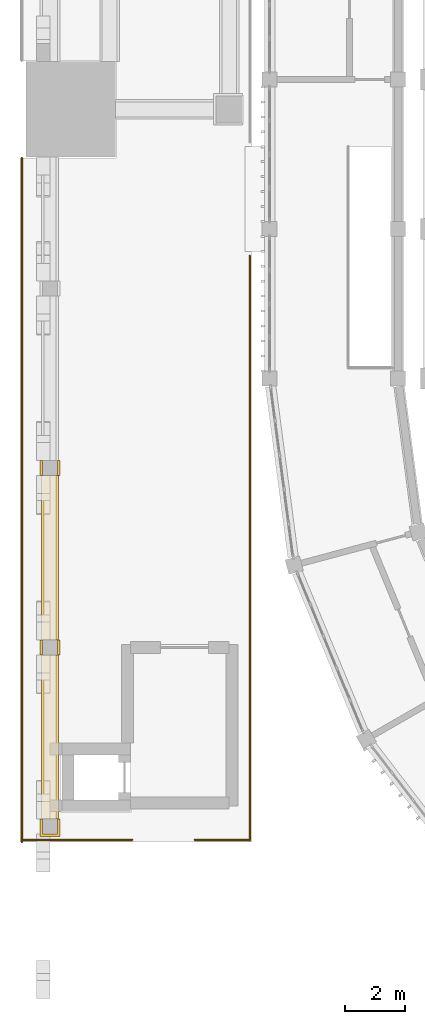
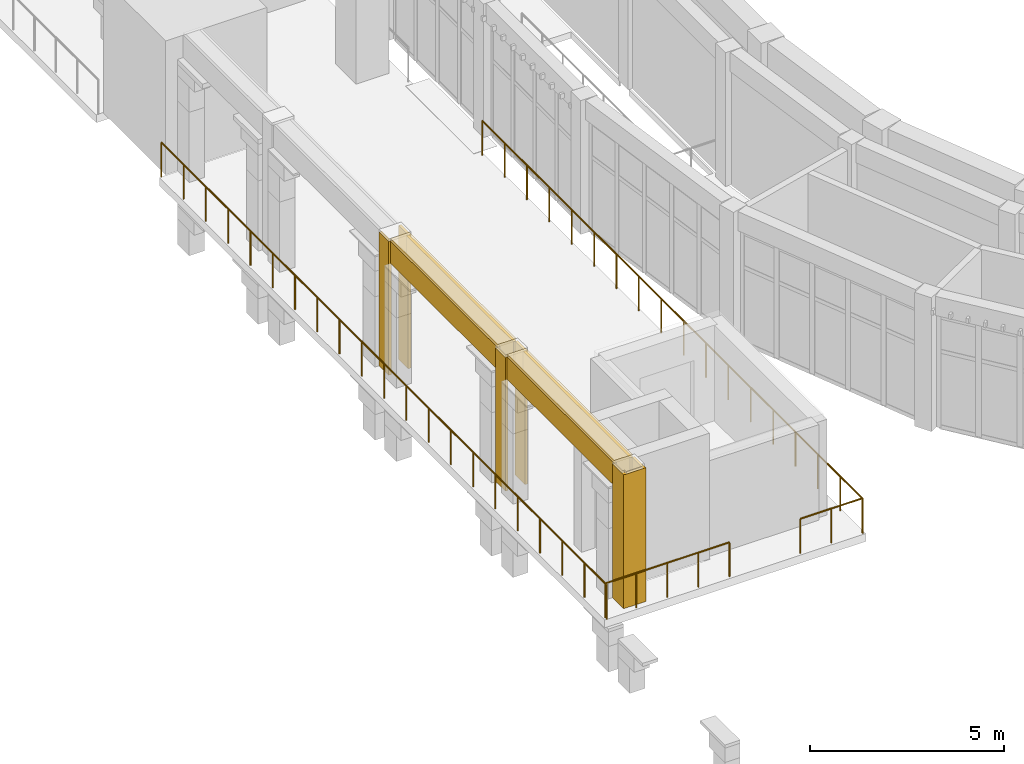
# One storey, part 83 of 99: 11 coverings, 4 railings.
"""IFC4 building model written with IfcOpenShell, lengths in metres."""

from ifc_helpers import new_model, si_unit, direction, frame, origin, origin_2d, place, context, subcontext, project, spatial, polyline, circle, outline, extrude, material, layer, layer_set, type_object, element, save


model = new_model("IFC4")

# Units and contexts
model_context = context("Model", 3, precision=1e-05, world=origin(), true_north=direction((0.0, 1.0)))
body_context = subcontext(model_context, "Body", "Model", "MODEL_VIEW")
ifc_project = project(units=[si_unit("LENGTHUNIT", "METRE"), si_unit("AREAUNIT", "SQUARE_METRE"), si_unit("VOLUMEUNIT", "CUBIC_METRE"), si_unit("PLANEANGLEUNIT", "RADIAN"), si_unit("MASSUNIT", "GRAM", prefix="KILO")], contexts=[model_context])

# Site, building, storey
site_placement = place(None, origin())
site = spatial("IfcSite", under=ifc_project, at=site_placement, CompositionType="ELEMENT")
building_placement = place(site_placement, origin())
building = spatial("IfcBuilding", under=site, at=building_placement, Name="Wasatch Bagh Community Centre", CompositionType="ELEMENT")
storey_placement = place(building_placement, frame((0.0, 0.0, 4.199951171875)))
storey = spatial("IfcBuildingStorey", under=building, at=storey_placement, Name="L01", CompositionType="ELEMENT", Elevation=4.199951171875)

# Coverings
ifc_material_1 = material(Name="Cast stone cladding", Category="masonry")
ifc_layer_1 = layer(ifc_material_1, 0.080078125)
ifc_layer_set_1 = layer_set([ifc_layer_1], Name="Cast stone cladding")
covering_type_1 = type_object("IfcCoveringType", Name="CL-B7 beam facing", PredefinedType="CLADDING", material=ifc_layer_set_1)
covering_1_placement = place(storey_placement, frame((0.0, 0.0, 3.5)))
element("IfcCovering", 1, at=covering_1_placement, inside=storey, type_object=covering_type_1, Name="Beam facing", PredefinedType="CLADDING", context=body_context, shape_type="SweptSolid", body=[
    extrude(outline(polyline([(4.300048828125, 20.25), (4.300048828125, 25.75), (4.219970703125, 25.75), (4.219970703125, 20.25), (4.300048828125, 20.25)])), origin(), (0.0, 0.0, 1.0), 0.699951171875),
])
covering_2_placement = place(storey_placement, frame((0.0, 0.0, 3.5)))
element("IfcCovering", 2, at=covering_2_placement, inside=storey, type_object=covering_type_1, Name="Beam facing", PredefinedType="CLADDING", context=body_context, shape_type="SweptSolid", body=[
    extrude(outline(polyline([(4.699951171875, 20.25), (4.699951171875, 25.75), (4.780029296875, 25.75), (4.780029296875, 20.25), (4.699951171875, 20.25)])), origin(), (0.0, 0.0, 1.0), 0.699951171875),
])
covering_3_placement = place(storey_placement, frame((0.0, 0.0, 4.199951171875)))
element("IfcCovering", 3, at=covering_3_placement, inside=storey, type_object=covering_type_1, Name="Beam facing", PredefinedType="CLADDING", context=body_context, shape_type="SweptSolid", body=[
    extrude(outline(polyline([(4.780029296875, 20.25), (4.780029296875, 25.75), (4.219970703125, 25.75), (4.219970703125, 20.25), (4.780029296875, 20.25)])), origin(), (0.0, 0.0, 1.0), 0.080078125),
])
covering_4_placement = place(storey_placement, frame((0.0, 0.0, 3.5)))
element("IfcCovering", 4, at=covering_4_placement, inside=storey, type_object=covering_type_1, Name="Beam facing", PredefinedType="CLADDING", context=body_context, shape_type="SweptSolid", body=[
    extrude(outline(polyline([(4.300048828125, 26.25), (4.300048828125, 31.75), (4.219970703125, 31.75), (4.219970703125, 26.25), (4.300048828125, 26.25)])), origin(), (0.0, 0.0, 1.0), 0.699951171875),
])
covering_5_placement = place(storey_placement, frame((0.0, 0.0, 3.5)))
element("IfcCovering", 5, at=covering_5_placement, inside=storey, type_object=covering_type_1, Name="Beam facing", PredefinedType="CLADDING", context=body_context, shape_type="SweptSolid", body=[
    extrude(outline(polyline([(4.699951171875, 26.25), (4.699951171875, 31.75), (4.780029296875, 31.75), (4.780029296875, 26.25), (4.699951171875, 26.25)])), origin(), (0.0, 0.0, 1.0), 0.699951171875),
])
covering_6_placement = place(storey_placement, frame((0.0, 0.0, 4.199951171875)))
element("IfcCovering", 6, at=covering_6_placement, inside=storey, type_object=covering_type_1, Name="Beam facing", PredefinedType="CLADDING", context=body_context, shape_type="SweptSolid", body=[
    extrude(outline(polyline([(4.780029296875, 26.25), (4.780029296875, 31.75), (4.219970703125, 31.75), (4.219970703125, 26.25), (4.780029296875, 26.25)])), origin(), (0.0, 0.0, 1.0), 0.080078125),
])
ifc_layer_2 = layer(ifc_material_1, 0.080078125)
ifc_layer_set_2 = layer_set([ifc_layer_2], Name="Cast stone cladding")
covering_type_2 = type_object("IfcCoveringType", Name="CL-C1 column facing", PredefinedType="CLADDING", material=ifc_layer_set_2)
covering_7_placement = place(storey_placement, origin())
element("IfcCovering", 7, at=covering_7_placement, inside=storey, type_object=covering_type_2, Name="Column facing", PredefinedType="CLADDING", context=body_context, shape_type="SweptSolid", body=[
    extrude(outline(polyline([(4.169921875, 19.669921875), (4.169921875, 20.25), (4.25, 20.25), (4.25, 19.75), (4.75, 19.75), (4.75, 20.25), (4.830078125, 20.25), (4.830078125, 19.669921875), (4.169921875, 19.669921875)])), origin(), (0.0, 0.0, 1.0), 4.199951171875),
])
covering_8_placement = place(storey_placement, origin())
element("IfcCovering", 8, at=covering_8_placement, inside=storey, type_object=covering_type_2, Name="Column facing", PredefinedType="CLADDING", context=body_context, shape_type="SweptSolid", body=[
    extrude(outline(polyline([(4.75, 26.25), (4.830078125, 26.25), (4.830078125, 25.75), (4.75, 25.75), (4.75, 26.25)])), origin(), (0.0, 0.0, 1.0), 4.199951171875),
])
covering_9_placement = place(storey_placement, origin())
element("IfcCovering", 9, at=covering_9_placement, inside=storey, type_object=covering_type_2, Name="Column facing", PredefinedType="CLADDING", context=body_context, shape_type="SweptSolid", body=[
    extrude(outline(polyline([(4.25, 25.75), (4.169921875, 25.75), (4.169921875, 26.25), (4.25, 26.25), (4.25, 25.75)])), origin(), (0.0, 0.0, 1.0), 4.199951171875),
])
covering_10_placement = place(storey_placement, origin())
element("IfcCovering", 10, at=covering_10_placement, inside=storey, type_object=covering_type_2, Name="Column facing", PredefinedType="CLADDING", context=body_context, shape_type="SweptSolid", body=[
    extrude(outline(polyline([(4.75, 32.25), (4.830078125, 32.25), (4.830078125, 31.75), (4.75, 31.75), (4.75, 32.25)])), origin(), (0.0, 0.0, 1.0), 4.199951171875),
])
covering_11_placement = place(storey_placement, origin())
element("IfcCovering", 11, at=covering_11_placement, inside=storey, type_object=covering_type_2, Name="Column facing", PredefinedType="CLADDING", context=body_context, shape_type="SweptSolid", body=[
    extrude(outline(polyline([(4.25, 31.75), (4.169921875, 31.75), (4.169921875, 32.25), (4.25, 32.25), (4.25, 31.75)])), origin(), (0.0, 0.0, 1.0), 4.199951171875),
])

# Railings
ifc_material_2 = material(Name="ASTM A36 steel plate", Category="steel")
railing_type = type_object("IfcRailingType", Name="CT-G1", PredefinedType="GUARDRAIL", material=ifc_material_2)
railing_1_placement = place(storey_placement, frame((3.56005859375, 19.47998046875, 0.0)))
element("IfcRailing", 12, at=railing_1_placement, inside=storey, type_object=railing_type, Name="GUARD 1", PredefinedType="GUARDRAIL", context=body_context, shape_type="SweptSolid", body=[
    extrude(circle(Radius=0.02392578125, at=origin_2d()), frame((0.0, 0.0, 1.076171875), z_axis=(0.0, 1.0, 0.0), x_axis=(-1.0, 0.0, 0.0)), (0.0, 0.0, 1.0), 22.89990234375),
    extrude(circle(Radius=0.02099609375, at=origin_2d()), origin(), (0.0, 0.0, 1.0), 1.052001953125),
    extrude(circle(Radius=0.02099609375, at=origin_2d()), frame((0.0, 1.14501953125, 0.0)), (0.0, 0.0, 1.0), 1.052001953125),
    extrude(circle(Radius=0.02099609375, at=origin_2d()), frame((0.0, 2.2900390625, 0.0)), (0.0, 0.0, 1.0), 1.052001953125),
    extrude(circle(Radius=0.02099609375, at=origin_2d()), frame((0.0, 3.43505859375, 0.0)), (0.0, 0.0, 1.0), 1.052001953125),
    extrude(circle(Radius=0.02099609375, at=origin_2d()), frame((0.0, 4.580078125, 0.0)), (0.0, 0.0, 1.0), 1.052001953125),
    extrude(circle(Radius=0.02099609375, at=origin_2d()), frame((0.0, 5.72509765625, 0.0)), (0.0, 0.0, 1.0), 1.052001953125),
    extrude(circle(Radius=0.02099609375, at=origin_2d()), frame((0.0, 6.869873046875, 0.0)), (0.0, 0.0, 1.0), 1.052001953125),
    extrude(circle(Radius=0.02099609375, at=origin_2d()), frame((0.0, 8.014892578125, 0.0)), (0.0, 0.0, 1.0), 1.052001953125),
    extrude(circle(Radius=0.02099609375, at=origin_2d()), frame((0.0, 9.159912109375, 0.0)), (0.0, 0.0, 1.0), 1.052001953125),
    extrude(circle(Radius=0.02099609375, at=origin_2d()), frame((0.0, 10.304931640625, 0.0)), (0.0, 0.0, 1.0), 1.052001953125),
    extrude(circle(Radius=0.02099609375, at=origin_2d()), frame((0.0, 11.449951171875, 0.0)), (0.0, 0.0, 1.0), 1.052001953125),
    extrude(circle(Radius=0.02099609375, at=origin_2d()), frame((0.0, 12.594970703125, 0.0)), (0.0, 0.0, 1.0), 1.052001953125),
    extrude(circle(Radius=0.02099609375, at=origin_2d()), frame((0.0, 13.739990234375, 0.0)), (0.0, 0.0, 1.0), 1.052001953125),
    extrude(circle(Radius=0.02099609375, at=origin_2d()), frame((0.0, 14.885009765625, 0.0)), (0.0, 0.0, 1.0), 1.052001953125),
    extrude(circle(Radius=0.02099609375, at=origin_2d()), frame((0.0, 16.030029296875, 0.0)), (0.0, 0.0, 1.0), 1.052001953125),
    extrude(circle(Radius=0.02099609375, at=origin_2d()), frame((0.0, 17.1748046875, 0.0)), (0.0, 0.0, 1.0), 1.052001953125),
    extrude(circle(Radius=0.02099609375, at=origin_2d()), frame((0.0, 18.31982421875, 0.0)), (0.0, 0.0, 1.0), 1.052001953125),
    extrude(circle(Radius=0.02099609375, at=origin_2d()), frame((0.0, 19.46484375, 0.0)), (0.0, 0.0, 1.0), 1.052001953125),
    extrude(circle(Radius=0.02099609375, at=origin_2d()), frame((0.0, 20.60986328125, 0.0)), (0.0, 0.0, 1.0), 1.052001953125),
    extrude(circle(Radius=0.02099609375, at=origin_2d()), frame((0.0, 21.7548828125, 0.0)), (0.0, 0.0, 1.0), 1.052001953125),
    extrude(circle(Radius=0.02099609375, at=origin_2d()), frame((0.0, 22.89990234375, 0.0)), (0.0, 0.0, 1.0), 1.052001953125),
])
railing_2_placement = place(storey_placement, frame((3.56005859375, 19.56005859375, 0.0)))
element("IfcRailing", 13, at=railing_2_placement, inside=storey, type_object=railing_type, Name="GUARD 4", PredefinedType="GUARDRAIL", context=body_context, shape_type="SweptSolid", body=[
    extrude(circle(Radius=0.02392578125, at=origin_2d()), frame((0.0, 0.0, 1.076171875), z_axis=(1.0, 0.0, 0.0), x_axis=(0.0, 1.0, 0.0)), (0.0, 0.0, 1.0), 3.68994140625),
    extrude(circle(Radius=0.02099609375, at=origin_2d()), origin(), (0.0, 0.0, 1.0), 1.052001953125),
    extrude(circle(Radius=0.02099609375, at=origin_2d()), frame((0.92236328125, 0.0, 0.0)), (0.0, 0.0, 1.0), 1.052001953125),
    extrude(circle(Radius=0.02099609375, at=origin_2d()), frame((1.844970703125, 0.0, 0.0)), (0.0, 0.0, 1.0), 1.052001953125),
    extrude(circle(Radius=0.02099609375, at=origin_2d()), frame((2.767578125, 0.0, 0.0)), (0.0, 0.0, 1.0), 1.052001953125),
    extrude(circle(Radius=0.02099609375, at=origin_2d()), frame((3.68994140625, 0.0, 0.0)), (0.0, 0.0, 1.0), 1.052001953125),
])
railing_3_placement = place(storey_placement, frame((9.35009765625, 19.56005859375, 0.0)))
element("IfcRailing", 14, at=railing_3_placement, inside=storey, type_object=railing_type, Name="GUARD 5", PredefinedType="GUARDRAIL", context=body_context, shape_type="SweptSolid", body=[
    extrude(circle(Radius=0.02392578125, at=origin_2d()), frame((0.0, 0.0, 1.076171875), z_axis=(1.0, 0.0, 0.0), x_axis=(0.0, 1.0, 0.0)), (0.0, 0.0, 1.0), 1.83984375),
    extrude(circle(Radius=0.02099609375, at=origin_2d()), origin(), (0.0, 0.0, 1.0), 1.052001953125),
    extrude(circle(Radius=0.02099609375, at=origin_2d()), frame((0.919921875, 0.0, 0.0)), (0.0, 0.0, 1.0), 1.052001953125),
    extrude(circle(Radius=0.02099609375, at=origin_2d()), frame((1.83984375, 0.0, 0.0)), (0.0, 0.0, 1.0), 1.052001953125),
])
railing_4_placement = place(storey_placement, frame((11.18994140625, 19.5400390625, 0.0)))
element("IfcRailing", 15, at=railing_4_placement, inside=storey, type_object=railing_type, Name="GUARD 8", PredefinedType="GUARDRAIL", context=body_context, shape_type="SweptSolid", body=[
    extrude(circle(Radius=0.02392578125, at=origin_2d()), frame((0.0, 0.0, 1.076171875), z_axis=(0.0, 1.0, 0.0), x_axis=(-1.0, 0.0, 0.0)), (0.0, 0.0, 1.0), 19.56005859375),
    extrude(circle(Radius=0.02099609375, at=origin_2d()), origin(), (0.0, 0.0, 1.0), 1.052001953125),
    extrude(circle(Radius=0.02099609375, at=origin_2d()), frame((0.0, 1.150634765625, 0.0)), (0.0, 0.0, 1.0), 1.052001953125),
    extrude(circle(Radius=0.02099609375, at=origin_2d()), frame((0.0, 2.30126953125, 0.0)), (0.0, 0.0, 1.0), 1.052001953125),
    extrude(circle(Radius=0.02099609375, at=origin_2d()), frame((0.0, 3.45166015625, 0.0)), (0.0, 0.0, 1.0), 1.052001953125),
    extrude(circle(Radius=0.02099609375, at=origin_2d()), frame((0.0, 4.602294921875, 0.0)), (0.0, 0.0, 1.0), 1.052001953125),
    extrude(circle(Radius=0.02099609375, at=origin_2d()), frame((0.0, 5.7529296875, 0.0)), (0.0, 0.0, 1.0), 1.052001953125),
    extrude(circle(Radius=0.02099609375, at=origin_2d()), frame((0.0, 6.903564453125, 0.0)), (0.0, 0.0, 1.0), 1.052001953125),
    extrude(circle(Radius=0.02099609375, at=origin_2d()), frame((0.0, 8.05419921875, 0.0)), (0.0, 0.0, 1.0), 1.052001953125),
    extrude(circle(Radius=0.02099609375, at=origin_2d()), frame((0.0, 9.204833984375, 0.0)), (0.0, 0.0, 1.0), 1.052001953125),
    extrude(circle(Radius=0.02099609375, at=origin_2d()), frame((0.0, 10.355224609375, 0.0)), (0.0, 0.0, 1.0), 1.052001953125),
    extrude(circle(Radius=0.02099609375, at=origin_2d()), frame((0.0, 11.505859375, 0.0)), (0.0, 0.0, 1.0), 1.052001953125),
    extrude(circle(Radius=0.02099609375, at=origin_2d()), frame((0.0, 12.656494140625, 0.0)), (0.0, 0.0, 1.0), 1.052001953125),
    extrude(circle(Radius=0.02099609375, at=origin_2d()), frame((0.0, 13.80712890625, 0.0)), (0.0, 0.0, 1.0), 1.052001953125),
    extrude(circle(Radius=0.02099609375, at=origin_2d()), frame((0.0, 14.957763671875, 0.0)), (0.0, 0.0, 1.0), 1.052001953125),
    extrude(circle(Radius=0.02099609375, at=origin_2d()), frame((0.0, 16.1083984375, 0.0)), (0.0, 0.0, 1.0), 1.052001953125),
    extrude(circle(Radius=0.02099609375, at=origin_2d()), frame((0.0, 17.2587890625, 0.0)), (0.0, 0.0, 1.0), 1.052001953125),
    extrude(circle(Radius=0.02099609375, at=origin_2d()), frame((0.0, 18.409423828125, 0.0)), (0.0, 0.0, 1.0), 1.052001953125),
    extrude(circle(Radius=0.02099609375, at=origin_2d()), frame((0.0, 19.56005859375, 0.0)), (0.0, 0.0, 1.0), 1.052001953125),
])

save(model, "model.ifc")
